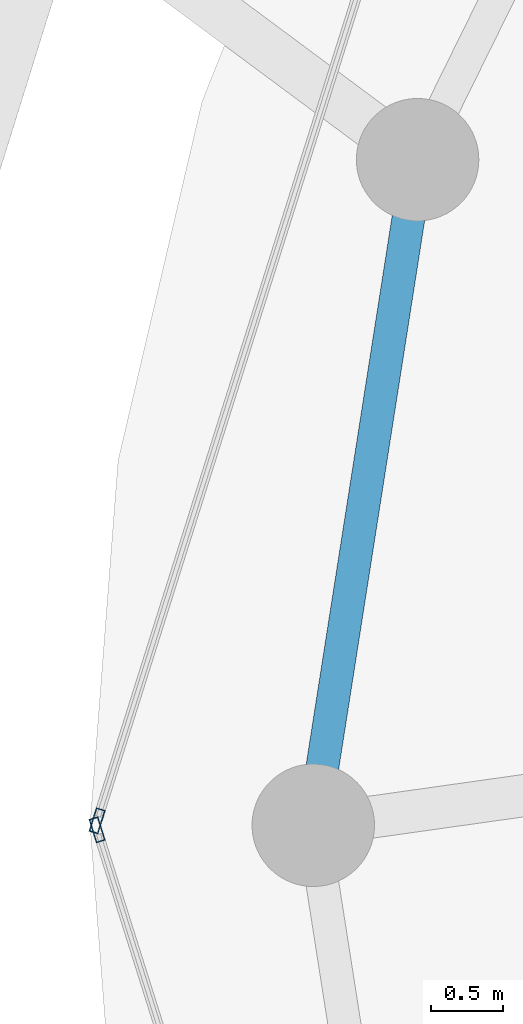
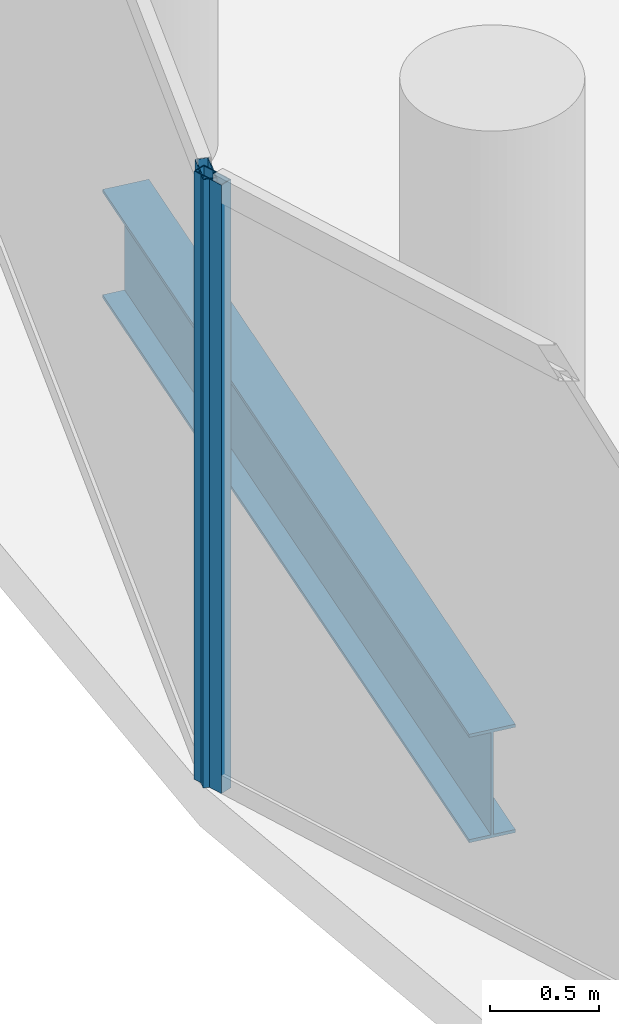
# One storey, part 7 of 27: 2 members, 1 beam, 2 elements without a shape of their own.
"""IFC4 building model written with IfcOpenShell, lengths in metres."""

import ifcopenshell
import ifcopenshell.guid

model = None  # the IFC model being written
_history = None  # IfcOwnerHistory: only IFC2X3 demands one
_inside = {}  # id of a spatial element -> (the spatial element, [elements in it])
_under = {}  # id of a project, library or spatial element -> (it, [spatial elements below it])
_declared = {}  # id of a project -> (the project, [libraries it declares])
_typed = {}  # id of a type object -> (the type object, [elements of that type])
_made_of = {}  # id of a material, layer set ... -> (it, [elements and type objects made of it])


def new_model(schema):
    """Start an empty IFC model of exactly this schema.

    Asked for "IFC4X3", IfcOpenShell would pick the latest addendum, in which some entities
    have other attributes; the version numbers below select the first issue.
    IFC2X3 requires an IfcOwnerHistory on every rooted entity: one is made here for all.
    """
    global model, _history
    if schema == "IFC4X3":
        model = ifcopenshell.file(schema_version=(4, 3, 0, 0))
    else:
        model = ifcopenshell.file(schema=schema)
    _inside.clear()
    _under.clear()
    _declared.clear()
    _typed.clear()
    _made_of.clear()
    _history = None
    if model.schema == "IFC2X3":
        org = make("IfcOrganization", Name="unknown")
        user = make(
            "IfcPersonAndOrganization",
            ThePerson=make("IfcPerson", FamilyName="unknown"),
            TheOrganization=org,
        )
        app = make(
            "IfcApplication",
            ApplicationDeveloper=org,
            Version="unknown",
            ApplicationFullName="unknown",
            ApplicationIdentifier="unknown",
        )
        _history = make(
            "IfcOwnerHistory",
            OwningUser=user,
            OwningApplication=app,
            ChangeAction="ADDED",
            CreationDate=0,
        )
    return model


def make(cls, **values):
    """One entity of the class cls with the attributes given. An attribute that is None is left unset."""
    return model.create_entity(
        cls, **{name: value for name, value in values.items() if value is not None}
    )


def rooted(cls, **values):
    """An entity with a GlobalId (a new one), such as an element, a storey or a relation."""
    return make(cls, GlobalId=ifcopenshell.guid.new(), OwnerHistory=_history, **values)


def si_unit(unit_type, name, prefix=None):
    """IfcSIUnit, for example si_unit("LENGTHUNIT", "METRE", prefix="MILLI")."""
    return make("IfcSIUnit", UnitType=unit_type, Prefix=prefix, Name=name)


def assignment(units):
    """IfcUnitAssignment: the units of a project."""
    return None if units is None else make("IfcUnitAssignment", Units=units)


def point(xyz):
    """IfcCartesianPoint."""
    return None if xyz is None else make("IfcCartesianPoint", Coordinates=xyz)


def direction(xyz):
    """IfcDirection."""
    return None if xyz is None else make("IfcDirection", DirectionRatios=xyz)


def frame(location, z_axis=None, x_axis=None):
    """IfcAxis2Placement3D, a coordinate frame: its origin and axes. An axis left out is left unset."""
    return make(
        "IfcAxis2Placement3D",
        Location=point(location),
        Axis=direction(z_axis),
        RefDirection=direction(x_axis),
    )


def frame_2d(location, x_axis=None):
    """IfcAxis2Placement2D, a coordinate frame in the plane: its origin and x axis."""
    return make(
        "IfcAxis2Placement2D", Location=point(location), RefDirection=direction(x_axis)
    )


def origin():
    """The frame at (0, 0, 0) with its axes left unset."""
    return frame((0.0, 0.0, 0.0))


def origin_2d():
    """The frame at (0, 0) in the plane with its x axis left unset."""
    return frame_2d((0.0, 0.0))


def place(relative_to, where):
    """IfcLocalPlacement: puts the frame where relative to a parent placement (None: the world)."""
    return make(
        "IfcLocalPlacement", PlacementRelTo=relative_to, RelativePlacement=where
    )


def context(
    kind, dimensions, precision=None, world=None, true_north=None, identifier=None
):
    """IfcGeometricRepresentationContext, for example the 3D "Model" context."""
    return make(
        "IfcGeometricRepresentationContext",
        ContextIdentifier=identifier,
        ContextType=kind,
        CoordinateSpaceDimension=dimensions,
        Precision=precision,
        WorldCoordinateSystem=world,
        TrueNorth=true_north,
    )


def subcontext(parent, identifier, kind, view, scale=None):
    """IfcGeometricRepresentationSubContext, for example "Body" below "Model"."""
    return make(
        "IfcGeometricRepresentationSubContext",
        ContextIdentifier=identifier,
        ContextType=kind,
        ParentContext=parent,
        TargetScale=scale,
        TargetView=view,
    )


def project(units=None, contexts=None):
    """IfcProject with its units and contexts."""
    return rooted(
        "IfcProject",
        Name="project",
        RepresentationContexts=contexts,
        UnitsInContext=assignment(units),
    )


def spatial(cls, under=None, at=None, **own):
    """A site, building, storey or space (cls), placed at a placement, below another one or the project."""
    s = rooted(cls, ObjectPlacement=at, **own)
    if under is not None:
        _under.setdefault(under.id(), (under, []))[1].append(s)
    return s


def profile(cls, at=None, kind="AREA", **sizes):
    """A parametric profile (cls). Its sizes go by their IFC names, for example OverallWidth=200.0."""
    return make(cls, ProfileType=kind, Position=at, **sizes)


def hollow_rectangle(**sizes):
    """IfcRectangleHollowProfileDef."""
    return profile("IfcRectangleHollowProfileDef", **sizes)


def i_section(**sizes):
    """IfcIShapeProfileDef."""
    return profile("IfcIShapeProfileDef", **sizes)


def extrude(swept, where, along, depth):
    """IfcExtrudedAreaSolid: the profile swept, set in the frame where, extruded along a direction by depth."""
    return make(
        "IfcExtrudedAreaSolid",
        SweptArea=swept,
        Position=where,
        ExtrudedDirection=direction(along),
        Depth=depth,
    )


def shape(context_of_items, identifier, shape_type, items):
    """IfcShapeRepresentation: the items that make up one representation, for example the "Body"."""
    return make(
        "IfcShapeRepresentation",
        ContextOfItems=context_of_items,
        RepresentationIdentifier=identifier,
        RepresentationType=shape_type,
        Items=items,
    )


def material(Name=None, Category=None):
    """IfcMaterial."""
    return make("IfcMaterial", Name=Name, Category=Category)


def layer(
    of_material, thickness, ventilated=None, Name=None, Category=None, Priority=None
):
    """IfcMaterialLayer: one layer of a wall or slab, of a material (None: an air gap)."""
    return make(
        "IfcMaterialLayer",
        Material=of_material,
        LayerThickness=thickness,
        IsVentilated=ventilated,
        Name=Name,
        Category=Category,
        Priority=Priority,
    )


def layer_set(layers, Name=None):
    """IfcMaterialLayerSet."""
    return make("IfcMaterialLayerSet", MaterialLayers=layers, LayerSetName=Name)


def material_profile(
    of_material, cross_section, Name=None, Category=None, Priority=None
):
    """IfcMaterialProfile: a cross section and its material."""
    return make(
        "IfcMaterialProfile",
        Name=Name,
        Material=of_material,
        Profile=cross_section,
        Priority=Priority,
        Category=Category,
    )


def profile_set(profiles, Name=None, composite=None):
    """IfcMaterialProfileSet."""
    return make(
        "IfcMaterialProfileSet",
        Name=Name,
        MaterialProfiles=profiles,
        CompositeProfile=composite,
    )


def made_of(thing, what):
    """Note that an element or type object is made of a material, layer set ...; save() writes the relation."""
    if what is not None:
        _made_of.setdefault(what.id(), (what, []))[1].append(thing)
    return thing


def type_object(cls, material=None, **own):
    """A type object (cls), such as IfcWallType, which elements share."""
    return made_of(rooted(cls, **own), material)


def element(
    cls,
    number,
    at=None,
    inside=None,
    cuts=None,
    type_object=None,
    material=None,
    context=None,
    identifier="Body",
    shape_type=None,
    held_by="IfcProductDefinitionShape",
    body=None,
    shapes=None,
    **own,
):
    """One element of the class cls, such as IfcWall. Its Tag is "e" and its number.

    at: its placement. inside: the storey or other place that contains it. cuts: it is an
    opening in that element (IfcRelVoidsElement). A single representation is given by context,
    identifier, shape_type and body (its items); several are given by shapes. held_by: the class
    of the entity that holds the representations. save() writes the other relations.
    """
    e = rooted(cls, Tag="e%d" % number, ObjectPlacement=at, **own)
    if body is not None:
        shapes = [shape(context, identifier, shape_type, body)]
    if shapes is not None:
        e.Representation = make(held_by, Representations=shapes)
    if inside is not None:
        _inside.setdefault(inside.id(), (inside, []))[1].append(e)
    if cuts is not None:
        rooted(
            "IfcRelVoidsElement", RelatingBuildingElement=cuts, RelatedOpeningElement=e
        )
    if type_object is not None:
        _typed.setdefault(type_object.id(), (type_object, []))[1].append(e)
    return made_of(e, material)


def aggregate(whole, parts):
    """IfcRelAggregates: a whole, such as a stair, and the parts it consists of."""
    return rooted("IfcRelAggregates", RelatingObject=whole, RelatedObjects=parts)


def save(model, path):
    """Write the relations noted so far, then the file.

    IfcRelAggregates (storeys below a building ...), IfcRelContainedInSpatialStructure (elements
    in a storey), IfcRelDefinesByType, IfcRelAssociatesMaterial and IfcRelDeclares: one each for
    every whole, place, type object, material and project.
    """
    for whole, parts in _under.values():
        aggregate(whole, parts)
    for where, things in _inside.values():
        rooted(
            "IfcRelContainedInSpatialStructure",
            RelatedElements=things,
            RelatingStructure=where,
        )
    for kind, things in _typed.values():
        rooted("IfcRelDefinesByType", RelatedObjects=things, RelatingType=kind)
    for what, things in _made_of.values():
        rooted("IfcRelAssociatesMaterial", RelatedObjects=things, RelatingMaterial=what)
    for by, libraries in _declared.values():
        rooted("IfcRelDeclares", RelatingContext=by, RelatedDefinitions=libraries)
    model.write(path)


model = new_model("IFC4")

# Units and contexts
model_context = context("Model", 3, precision=1e-05, world=origin(), true_north=direction((0.0, 1.0)))
body_context = subcontext(model_context, "Body", "Model", "MODEL_VIEW")
ifc_project = project(units=[si_unit("LENGTHUNIT", "METRE"), si_unit("AREAUNIT", "SQUARE_METRE"), si_unit("VOLUMEUNIT", "CUBIC_METRE"), si_unit("PLANEANGLEUNIT", "RADIAN"), si_unit("MASSUNIT", "GRAM", prefix="KILO")], contexts=[model_context])

# Site, building, storey
site_placement = place(None, origin())
site = spatial("IfcSite", under=ifc_project, at=site_placement, CompositionType="ELEMENT")
building_placement = place(site_placement, origin())
building = spatial("IfcBuilding", under=site, at=building_placement, Name="Nuhasar Tower", CompositionType="ELEMENT")
storey_placement = place(building_placement, frame((0.0, 0.0, 233.699951171875)))
storey = spatial("IfcBuildingStorey", under=building, at=storey_placement, Name="L57", CompositionType="ELEMENT", Elevation=233.699951171875)

# Beam
ifc_material_1 = material(Name="Steel S355", Category="steel")
ifc_material_profile_1 = material_profile(ifc_material_1, i_section(OverallWidth=0.22802734375, OverallDepth=0.60791015625, WebThickness=0.01123046875, FlangeThickness=0.017333984375, at=origin_2d()), Name="W24X76")
ifc_profile_set_1 = profile_set([ifc_material_profile_1], Name="Steel S355")
beam_type = type_object("IfcBeamType", Name="BM-RING-W24X76", PredefinedType="SPANDREL", material=ifc_profile_set_1)
beam_placement = place(storey_placement, frame((18.47412109375, 31.419921875, -0.5439453125), z_axis=(-0.154849872935, -0.987938012657, 0.0), x_axis=(0.987938012657, -0.154849872935, 0.0)))
element("IfcBeam", 1, at=beam_placement, inside=storey, type_object=beam_type, Name="L57 Perimeter Ring Spandrel 12", PredefinedType="SPANDREL", context=body_context, shape_type="SweptSolid", body=[
    extrude(i_section(OverallWidth=0.22802734375, OverallDepth=0.60791015625, WebThickness=0.01123046875, FlangeThickness=0.017333984375, at=origin_2d()), origin(), (0.0, 0.0, 1.0), 4.67626953125),
])

# Curtain wall, member
ifc_material_2 = material(Name="Aluminium 6063-T6", Category="aluminium")
ifc_layer = layer(ifc_material_2, 0.18994140625)
ifc_layer_set = layer_set([ifc_layer], Name="Aluminium 6063-T6")
curtain_wall_type = type_object("IfcCurtainWallType", Name="CW-Z3-RES", PredefinedType="NOTDEFINED", material=ifc_layer_set)
curtain_wall_1_placement = place(storey_placement, origin())
curtain_wall_1 = element("IfcCurtainWall", 2, at=curtain_wall_1_placement, inside=storey, type_object=curtain_wall_type, Name="L57 Unitised Curtain Wall 06", PredefinedType="NOTDEFINED")
ifc_material_profile_2 = material_profile(ifc_material_2, hollow_rectangle(XDim=0.06494140625, YDim=0.169921875, WallThickness=0.0048828125, at=origin_2d()), Name="CWM-4")
ifc_profile_set_2 = profile_set([ifc_material_profile_2], Name="Aluminium 6063-T6")
member_type = type_object("IfcMemberType", Name="CW-MUL-S4", PredefinedType="MULLION", material=ifc_profile_set_2)
member_1_placement = place(storey_placement, frame((16.249755859375, 26.8310546875, 0.0), z_axis=(0.0, 0.0, 1.0), x_axis=(0.95380429279, -0.30042864553, 0.0)))
member_1 = element("IfcMember", 3, at=member_1_placement, type_object=member_type, Name="CW-Z3 mullion 2", PredefinedType="MULLION", context=body_context, shape_type="SweptSolid", body=[
    extrude(hollow_rectangle(XDim=0.06494140625, YDim=0.169921875, WallThickness=0.0048828125, at=origin_2d()), origin(), (0.0, 0.0, 1.0), 3.41015625),
])
aggregate(curtain_wall_1, [member_1])

curtain_wall_2_placement = place(storey_placement, origin())
curtain_wall_2 = element("IfcCurtainWall", 4, at=curtain_wall_2_placement, inside=storey, type_object=curtain_wall_type, Name="L57 Unitised Curtain Wall 07", PredefinedType="NOTDEFINED")
member_2_placement = place(storey_placement, frame((16.249755859375, 26.76904296875, 0.0), z_axis=(0.0, 0.0, 1.0), x_axis=(0.95380429279, 0.30042864553, 0.0)))
member_2 = element("IfcMember", 5, at=member_2_placement, type_object=member_type, Name="CW-Z3 mullion 1", PredefinedType="MULLION", context=body_context, shape_type="SweptSolid", body=[
    extrude(hollow_rectangle(XDim=0.06494140625, YDim=0.169921875, WallThickness=0.0048828125, at=origin_2d()), origin(), (0.0, 0.0, 1.0), 3.41015625),
])
aggregate(curtain_wall_2, [member_2])

save(model, "model.ifc")
